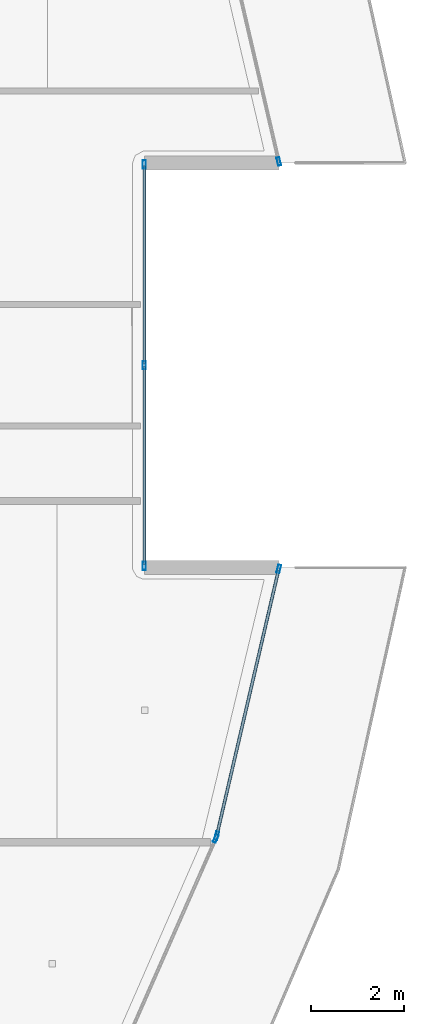
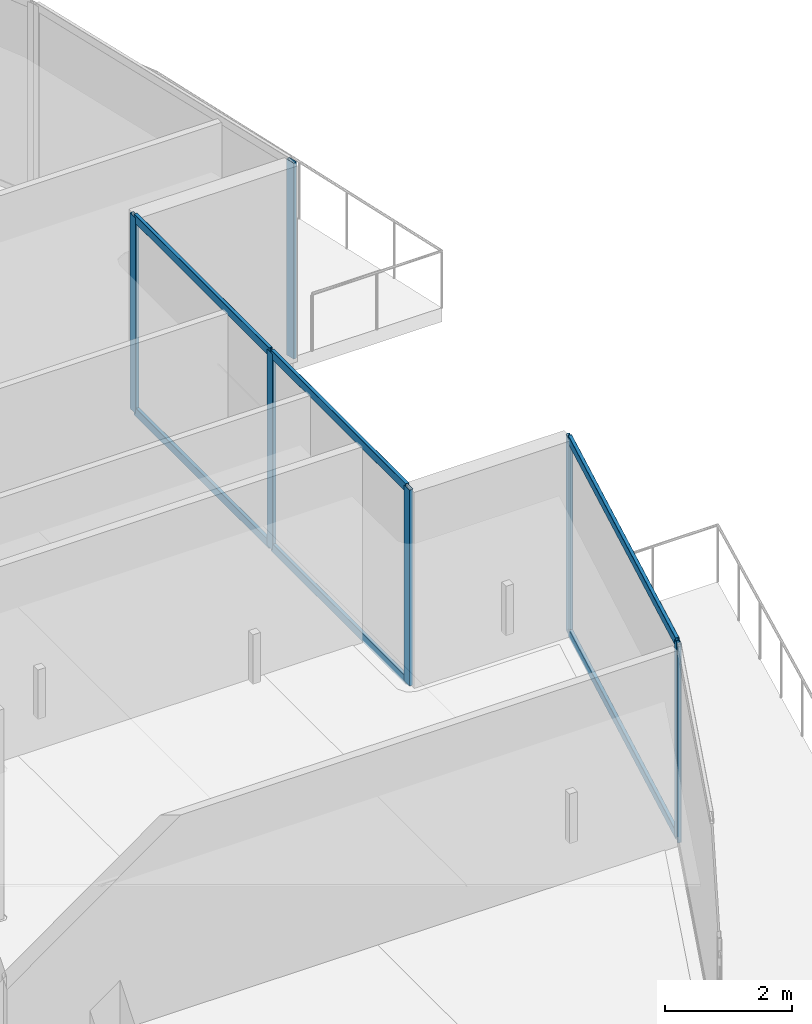
# One storey, part 15 of 43: 13 members, 4 elements without a shape of their own.
"""IFC4 building model written with IfcOpenShell, lengths in metres."""

from ifc_helpers import new_model, si_unit, direction, frame, origin, origin_2d, place, context, subcontext, project, spatial, hollow_rectangle, extrude, material, layer, layer_set, material_profile, profile_set, type_object, element, aggregate, save


model = new_model("IFC4")

# Units and contexts
model_context = context("Model", 3, precision=1e-05, world=origin(), true_north=direction((0.0, 1.0)))
body_context = subcontext(model_context, "Body", "Model", "MODEL_VIEW")
ifc_project = project(units=[si_unit("LENGTHUNIT", "METRE"), si_unit("AREAUNIT", "SQUARE_METRE"), si_unit("VOLUMEUNIT", "CUBIC_METRE"), si_unit("PLANEANGLEUNIT", "RADIAN"), si_unit("MASSUNIT", "GRAM", prefix="KILO")], contexts=[model_context])

# Site, building, storey
site_placement = place(None, origin())
site = spatial("IfcSite", under=ifc_project, at=site_placement, CompositionType="ELEMENT")
building_placement = place(site_placement, origin())
building = spatial("IfcBuilding", under=site, at=building_placement, Name="Qorvath Tower", CompositionType="ELEMENT")
storey_placement = place(building_placement, frame((0.0, 0.0, 213.14990234375)))
storey = spatial("IfcBuildingStorey", under=building, at=storey_placement, Name="L49", CompositionType="ELEMENT", Elevation=213.14990234375)

# Curtain wall, member
ifc_material_1 = material(Name="Anodised aluminium and triple low-E glass", Category="aluminium")
ifc_layer = layer(ifc_material_1, 0.179931640625)
ifc_layer_set = layer_set([ifc_layer], Name="CW-SYS-3")
curtain_wall_type = type_object("IfcCurtainWallType", Name="CW-SYS-3", PredefinedType="NOTDEFINED", material=ifc_layer_set)
curtain_wall_1_placement = place(storey_placement, origin())
curtain_wall_1 = element("IfcCurtainWall", 1, at=curtain_wall_1_placement, inside=storey, type_object=curtain_wall_type, Name="Curtain Wall CW-3 CW-T-L49-6.1", PredefinedType="NOTDEFINED")
ifc_material_2 = material(Name="Anodised aluminium 6063-T6", Category="aluminium")
ifc_material_profile_1 = material_profile(ifc_material_2, hollow_rectangle(XDim=0.06494140625, YDim=0.179931640625, WallThickness=0.00341796875, InnerFilletRadius=0.00341796875, OuterFilletRadius=0.007080078125, at=origin_2d()), Name="CWM 180x65")
ifc_profile_set_1 = profile_set([ifc_material_profile_1], Name="Anodised aluminium 6063-T6")
member_type_1 = type_object("IfcMemberType", Name="CWM-180", PredefinedType="MULLION", material=ifc_profile_set_1)
member_1_placement = place(storey_placement, frame((-0.771484375, -10.19921875, 0.0), z_axis=(0.0, 0.0, 1.0), x_axis=(-0.91538099818, 0.40258865877, 0.0)))
member_1 = element("IfcMember", 2, at=member_1_placement, type_object=member_type_1, Name="CW-3 mullion 2", PredefinedType="MULLION", context=body_context, shape_type="SweptSolid", body=[
    extrude(hollow_rectangle(XDim=0.06494140625, YDim=0.179931640625, WallThickness=0.00341796875, InnerFilletRadius=0.00341796875, OuterFilletRadius=0.007080078125, at=origin_2d()), origin(), (0.0, 0.0, 1.0), 3.780029296875),
])
aggregate(curtain_wall_1, [member_1])

# Curtain wall, members
curtain_wall_2_placement = place(storey_placement, origin())
curtain_wall_2 = element("IfcCurtainWall", 3, at=curtain_wall_2_placement, inside=storey, type_object=curtain_wall_type, Name="Curtain Wall CW-3 CW-T-L49-7.1", PredefinedType="NOTDEFINED")
member_2_placement = place(storey_placement, frame((-0.7509765625, -10.1376953125, 0.0), z_axis=(0.0, 0.0, 1.0), x_axis=(-0.973971468764, 0.226670637786, 0.0)))
member_2 = element("IfcMember", 4, at=member_2_placement, type_object=member_type_1, Name="CW-3 mullion 1", PredefinedType="MULLION", context=body_context, shape_type="SweptSolid", body=[
    extrude(hollow_rectangle(XDim=0.06494140625, YDim=0.179931640625, WallThickness=0.00341796875, InnerFilletRadius=0.00341796875, OuterFilletRadius=0.007080078125, at=origin_2d()), origin(), (0.0, 0.0, 1.0), 3.780029296875),
])
member_3_placement = place(storey_placement, frame((0.5869140625, -4.3896484375, 0.0), z_axis=(0.0, 0.0, 1.0), x_axis=(-0.973971468764, 0.226670637786, 0.0)))
member_3 = element("IfcMember", 5, at=member_3_placement, type_object=member_type_1, Name="CW-3 mullion 2", PredefinedType="MULLION", context=body_context, shape_type="SweptSolid", body=[
    extrude(hollow_rectangle(XDim=0.06494140625, YDim=0.179931640625, WallThickness=0.00341796875, InnerFilletRadius=0.00341796875, OuterFilletRadius=0.007080078125, at=origin_2d()), origin(), (0.0, 0.0, 1.0), 3.780029296875),
])

curtain_wall_3_placement = place(storey_placement, origin())
curtain_wall_3 = element("IfcCurtainWall", 6, at=curtain_wall_3_placement, inside=storey, type_object=curtain_wall_type, Name="Curtain Wall CW-3 CW-T-L49-9.1", PredefinedType="NOTDEFINED")
member_4_placement = place(storey_placement, frame((-2.310791015625, -4.325439453125, 0.0), z_axis=(0.0, 0.0, 1.0), x_axis=(-1.0, 0.0, 0.0)))
member_4 = element("IfcMember", 7, at=member_4_placement, type_object=member_type_1, Name="CW-3 mullion 1", PredefinedType="MULLION", context=body_context, shape_type="SweptSolid", body=[
    extrude(hollow_rectangle(XDim=0.06494140625, YDim=0.179931640625, WallThickness=0.00341796875, InnerFilletRadius=0.00341796875, OuterFilletRadius=0.007080078125, at=origin_2d()), origin(), (0.0, 0.0, 1.0), 3.780029296875),
])
member_5_placement = place(storey_placement, frame((-2.310791015625, 0.0, 0.0), z_axis=(0.0, 0.0, 1.0), x_axis=(-1.0, 0.0, 0.0)))
member_5 = element("IfcMember", 8, at=member_5_placement, type_object=member_type_1, Name="CW-3 mullion 2", PredefinedType="MULLION", context=body_context, shape_type="SweptSolid", body=[
    extrude(hollow_rectangle(XDim=0.06494140625, YDim=0.179931640625, WallThickness=0.00341796875, InnerFilletRadius=0.00341796875, OuterFilletRadius=0.007080078125, at=origin_2d()), origin(), (0.0, 0.0, 1.0), 3.780029296875),
])
member_6_placement = place(storey_placement, frame((-2.310791015625, 4.325439453125, 0.0), z_axis=(0.0, 0.0, 1.0), x_axis=(-1.0, 0.0, 0.0)))
member_6 = element("IfcMember", 9, at=member_6_placement, type_object=member_type_1, Name="CW-3 mullion 3", PredefinedType="MULLION", context=body_context, shape_type="SweptSolid", body=[
    extrude(hollow_rectangle(XDim=0.06494140625, YDim=0.179931640625, WallThickness=0.00341796875, InnerFilletRadius=0.00341796875, OuterFilletRadius=0.007080078125, at=origin_2d()), origin(), (0.0, 0.0, 1.0), 3.780029296875),
])

# Curtain wall, member
curtain_wall_4_placement = place(storey_placement, origin())
curtain_wall_4 = element("IfcCurtainWall", 10, at=curtain_wall_4_placement, inside=storey, type_object=curtain_wall_type, Name="Curtain Wall CW-3 CW-T-L49-11.1", PredefinedType="NOTDEFINED")
member_7_placement = place(storey_placement, frame((0.5869140625, 4.3896484375, 0.0), z_axis=(0.0, 0.0, 1.0), x_axis=(-0.973971468764, -0.226670637786, 0.0)))
member_7 = element("IfcMember", 11, at=member_7_placement, type_object=member_type_1, Name="CW-3 mullion 1", PredefinedType="MULLION", context=body_context, shape_type="SweptSolid", body=[
    extrude(hollow_rectangle(XDim=0.06494140625, YDim=0.179931640625, WallThickness=0.00341796875, InnerFilletRadius=0.00341796875, OuterFilletRadius=0.007080078125, at=origin_2d()), origin(), (0.0, 0.0, 1.0), 3.780029296875),
])
aggregate(curtain_wall_4, [member_7])

# Member
ifc_material_3 = material(Name="Anodised aluminium 6063-T6", Category="aluminium")
ifc_material_profile_2 = material_profile(ifc_material_3, hollow_rectangle(XDim=0.06494140625, YDim=0.159912109375, WallThickness=0.00341796875, InnerFilletRadius=0.00341796875, OuterFilletRadius=0.007080078125, at=origin_2d()), Name="CWT 160x65")
ifc_profile_set_2 = profile_set([ifc_material_profile_2], Name="Anodised aluminium 6063-T6")
member_type_2 = type_object("IfcMemberType", Name="CWT-160", PredefinedType="USERDEFINED", material=ifc_profile_set_2)
member_8_placement = place(storey_placement, frame((-0.74365234375, -10.106201171875, 0.032470703125), z_axis=(0.226658372303, 0.973974323206, 0.0), x_axis=(-0.973974323206, 0.226658372303, 0.0)))
member_8 = element("IfcMember", 12, at=member_8_placement, type_object=member_type_2, Name="CW-3 transom 1.1", ObjectType="TRANSOM", PredefinedType="USERDEFINED", context=body_context, shape_type="SweptSolid", body=[
    extrude(hollow_rectangle(XDim=0.06494140625, YDim=0.159912109375, WallThickness=0.00341796875, InnerFilletRadius=0.00341796875, OuterFilletRadius=0.007080078125, at=origin_2d()), origin(), (0.0, 0.0, 1.0), 5.8369140625),
])

member_9_placement = place(storey_placement, frame((-0.74365234375, -10.106201171875, 3.74755859375), z_axis=(0.226658372303, 0.973974323206, 0.0), x_axis=(-0.973974323206, 0.226658372303, 0.0)))
member_9 = element("IfcMember", 13, at=member_9_placement, type_object=member_type_2, Name="CW-3 transom 1.2", ObjectType="TRANSOM", PredefinedType="USERDEFINED", context=body_context, shape_type="SweptSolid", body=[
    extrude(hollow_rectangle(XDim=0.06494140625, YDim=0.159912109375, WallThickness=0.00341796875, InnerFilletRadius=0.00341796875, OuterFilletRadius=0.007080078125, at=origin_2d()), origin(), (0.0, 0.0, 1.0), 5.8369140625),
])

aggregate(curtain_wall_2, [member_2, member_3, member_8, member_9])

member_10_placement = place(storey_placement, frame((-2.310791015625, -4.29296875, 0.032470703125), z_axis=(0.0, 1.0, 0.0), x_axis=(-1.0, 0.0, 0.0)))
member_10 = element("IfcMember", 14, at=member_10_placement, type_object=member_type_2, Name="CW-3 transom 1.1", ObjectType="TRANSOM", PredefinedType="USERDEFINED", context=body_context, shape_type="SweptSolid", body=[
    extrude(hollow_rectangle(XDim=0.06494140625, YDim=0.159912109375, WallThickness=0.00341796875, InnerFilletRadius=0.00341796875, OuterFilletRadius=0.007080078125, at=origin_2d()), origin(), (0.0, 0.0, 1.0), 4.260498046875),
])

member_11_placement = place(storey_placement, frame((-2.310791015625, -4.29296875, 3.74755859375), z_axis=(0.0, 1.0, 0.0), x_axis=(-1.0, 0.0, 0.0)))
member_11 = element("IfcMember", 15, at=member_11_placement, type_object=member_type_2, Name="CW-3 transom 1.2", ObjectType="TRANSOM", PredefinedType="USERDEFINED", context=body_context, shape_type="SweptSolid", body=[
    extrude(hollow_rectangle(XDim=0.06494140625, YDim=0.159912109375, WallThickness=0.00341796875, InnerFilletRadius=0.00341796875, OuterFilletRadius=0.007080078125, at=origin_2d()), origin(), (0.0, 0.0, 1.0), 4.260498046875),
])

member_12_placement = place(storey_placement, frame((-2.310791015625, 0.032470703125, 0.032470703125), z_axis=(0.0, 1.0, 0.0), x_axis=(-1.0, 0.0, 0.0)))
member_12 = element("IfcMember", 16, at=member_12_placement, type_object=member_type_2, Name="CW-3 transom 2.1", ObjectType="TRANSOM", PredefinedType="USERDEFINED", context=body_context, shape_type="SweptSolid", body=[
    extrude(hollow_rectangle(XDim=0.06494140625, YDim=0.159912109375, WallThickness=0.00341796875, InnerFilletRadius=0.00341796875, OuterFilletRadius=0.007080078125, at=origin_2d()), origin(), (0.0, 0.0, 1.0), 4.260498046875),
])

member_13_placement = place(storey_placement, frame((-2.310791015625, 0.032470703125, 3.74755859375), z_axis=(0.0, 1.0, 0.0), x_axis=(-1.0, 0.0, 0.0)))
member_13 = element("IfcMember", 17, at=member_13_placement, type_object=member_type_2, Name="CW-3 transom 2.2", ObjectType="TRANSOM", PredefinedType="USERDEFINED", context=body_context, shape_type="SweptSolid", body=[
    extrude(hollow_rectangle(XDim=0.06494140625, YDim=0.159912109375, WallThickness=0.00341796875, InnerFilletRadius=0.00341796875, OuterFilletRadius=0.007080078125, at=origin_2d()), origin(), (0.0, 0.0, 1.0), 4.260498046875),
])

aggregate(curtain_wall_3, [member_4, member_5, member_6, member_10, member_11, member_12, member_13])

save(model, "model.ifc")
